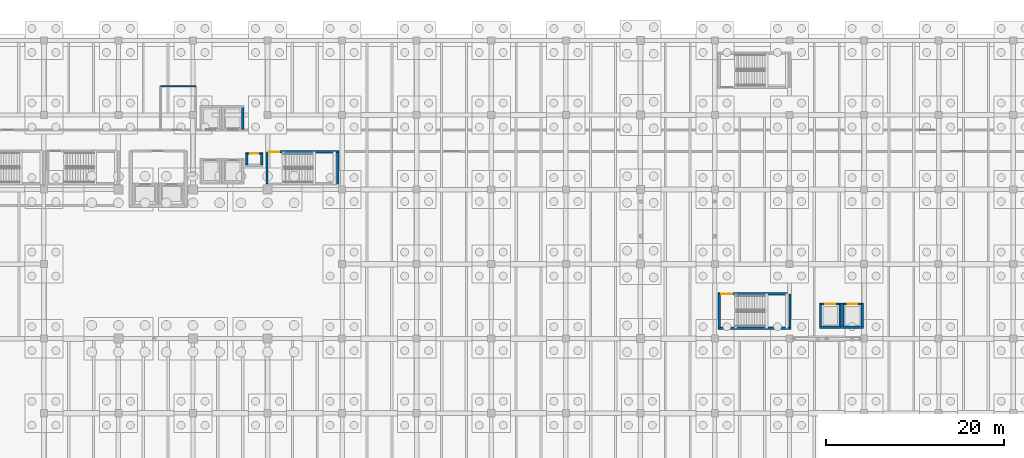
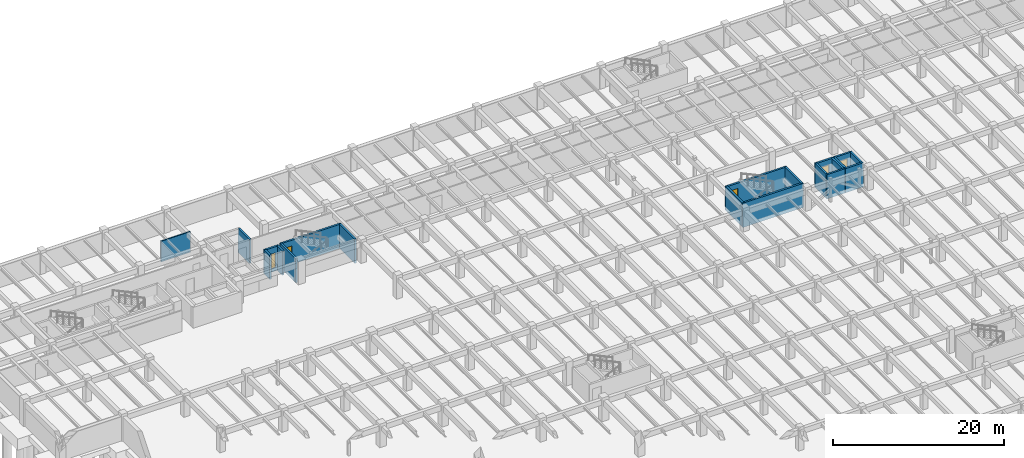
# One storey, part 47 of 70: 20 walls, 5 doors, 5 openings.
"""IFC4 building model written with IfcOpenShell, lengths in metres."""

from ifc_helpers import new_model, si_unit, direction, frame, frame_2d, origin, place, context, subcontext, project, spatial, rectangle, extrude, material, layer, layer_set, type_object, element, fill, save


model = new_model("IFC4")

# Units and contexts
model_context = context("Model", 3, precision=1e-05, world=origin(), true_north=direction((0.0, 1.0)))
body_context = subcontext(model_context, "Body", "Model", "MODEL_VIEW")
ifc_project = project(units=[si_unit("LENGTHUNIT", "METRE"), si_unit("AREAUNIT", "SQUARE_METRE"), si_unit("VOLUMEUNIT", "CUBIC_METRE"), si_unit("PLANEANGLEUNIT", "RADIAN"), si_unit("MASSUNIT", "GRAM", prefix="KILO")], contexts=[model_context])

# Site, building, storey
site_placement = place(None, origin())
site = spatial("IfcSite", under=ifc_project, at=site_placement, CompositionType="ELEMENT")
building_placement = place(site_placement, origin())
building = spatial("IfcBuilding", under=site, at=building_placement, Name="Cumbredor Promenade Congress Hotel", CompositionType="ELEMENT")
storey_placement = place(building_placement, frame((0.0, 0.0, -7.56005859375)))
storey = spatial("IfcBuildingStorey", under=building, at=storey_placement, Name="B02", CompositionType="ELEMENT", Elevation=-7.56005859375)

# Wall
ifc_material_1 = material(Name="Acoustic gypsum partition on steel studs", Category="steel")
ifc_layer_1 = layer(ifc_material_1, 0.139892578125, Name="Acoustic gypsum partition on steel studs", Category="steel")
ifc_layer_set_1 = layer_set([ifc_layer_1], Name="Acoustic gypsum partition on steel studs")
wall_type_1 = type_object("IfcWallType", Name="WL-PART-140", PredefinedType="PARTITIONING", material=ifc_layer_set_1)
wall_1_placement = place(storey_placement, frame((29.949951171875, 112.449951171875, 0.0), z_axis=(0.0, 0.0, 1.0), x_axis=(1.0, 0.0, 0.0)))
element("IfcWall", 1, at=wall_1_placement, inside=storey, type_object=wall_type_1, Name="B02 Interior Partition W-B02-AWC-N", PredefinedType="PARTITIONING", context=body_context, shape_type="SweptSolid", body=[
    extrude(rectangle(XDim=3.949951171875, YDim=0.139892578125, at=frame_2d((1.97509765625, 0.0))), origin(), (0.0, 0.0, 1.0), 2.9599609375),
])

# Wall, opening, door
ifc_material_2 = material(Name="Concrete C40/50", Category="concrete")
ifc_layer_2 = layer(ifc_material_2, 0.2548828125, Name="Concrete C40/50", Category="concrete")
ifc_layer_set_2 = layer_set([ifc_layer_2], Name="Concrete C40/50")
wall_type_2 = type_object("IfcWallType", Name="WL-SHAFT-250", PredefinedType="SOLIDWALL", material=ifc_layer_set_2)
wall_2_placement = place(storey_placement, frame((41.802490234375, 105.050048828125, -0.5), z_axis=(0.0, 0.0, 1.0), x_axis=(1.0, 0.0, 0.0)))
wall_2 = element("IfcWall", 2, at=wall_2_placement, inside=storey, type_object=wall_type_2, Name="STAIR-ST-03-B02 Shaft Wall North", PredefinedType="SOLIDWALL", context=body_context, shape_type="SweptSolid", body=[
    extrude(rectangle(XDim=8.22509765625, YDim=0.2548828125, at=frame_2d((4.112548828125, 0.0))), origin(), (0.0, 0.0, 1.0), 3.4599609375),
])
opening_1_placement = place(wall_2_placement, frame((0.35009765625, 0.0, 0.5)))
opening_1 = element("IfcOpeningElement", 3, at=opening_1_placement, cuts=wall_2, Name="Opening SD-01", PredefinedType="OPENING", context=body_context, shape_type="SweptSolid", body=[
    extrude(rectangle(XDim=1.159912109375, YDim=2.14990234375, at=frame_2d((0.580078125, 1.074951171875))), frame((0.0, 0.137451171875, 0.0), z_axis=(0.0, -1.0, 0.0), x_axis=(1.0, 0.0, 0.0)), (0.0, 0.0, 1.0), 0.27490234375),
])
ifc_material_3 = material(Name="Painted galvanized steel fire door", Category="steel")
door_type_1 = type_object("IfcDoorType", Name="DR-STAIR-FD90-1150", OperationType="NOTDEFINED", PredefinedType="DOOR", material=ifc_material_3)
door_1_placement = place(opening_1_placement, origin())
door_1 = element("IfcDoor", 4, at=door_1_placement, inside=storey, type_object=door_type_1, Name="B02 Protected Exit Stair ST-03 Door", OperationType="SINGLE_SWING_RIGHT", OverallHeight=2.14990234375, OverallWidth=1.159912109375, PredefinedType="DOOR", context=body_context, shape_type="SweptSolid", body=[
    extrude(rectangle(XDim=1.159912109375, YDim=2.14990234375, at=frame_2d((0.580078125, 1.074951171875))), frame((0.0, 0.02490234375, 0.0), z_axis=(0.0, -1.0, 0.0), x_axis=(1.0, 0.0, 0.0)), (0.0, 0.0, 1.0), 0.050048828125),
])
fill(opening_1, door_1)

# Walls
for number, where, z_axis, x_axis, name in (
    (5, (41.929931640625, 101.419921875, -0.5), (0.0, 0.0, 1.0), (0.0, 1.0, 0.0), "STAIR-ST-03-B02 Shaft Wall West"),
    (6, (49.89990234375, 101.419921875, -0.5), (0.0, 0.0, 1.0), (0.0, 1.0, 0.0), "STAIR-ST-03-B02 Shaft Wall East"),
):
    element("IfcWall", number, at=place(storey_placement, frame(where, z_axis=z_axis, x_axis=x_axis)), inside=storey, type_object=wall_type_2, Name=name, PredefinedType="SOLIDWALL", context=body_context, shape_type="SweptSolid", body=[
        extrude(rectangle(XDim=3.630126953125, YDim=0.2548828125, at=frame_2d((1.81494140625, 0.0))), origin(), (0.0, 0.0, 1.0), 3.4599609375),
    ])
wall_3_placement = place(storey_placement, frame((92.75244140625, 85.179931640625, -0.5), z_axis=(0.0, 0.0, 1.0), x_axis=(1.0, 0.0, 0.0)))
element("IfcWall", 7, at=wall_3_placement, inside=storey, type_object=wall_type_2, Name="STAIR-ST-13-B02 Shaft Wall South", PredefinedType="SOLIDWALL", context=body_context, shape_type="SweptSolid", body=[
    extrude(rectangle(XDim=8.22509765625, YDim=0.2548828125, at=frame_2d((4.112548828125, 0.0))), origin(), (0.0, 0.0, 1.0), 3.4599609375),
])

# Wall, opening, door
wall_4_placement = place(storey_placement, frame((92.75244140625, 89.050048828125, -0.5), z_axis=(0.0, 0.0, 1.0), x_axis=(1.0, 0.0, 0.0)))
wall_4 = element("IfcWall", 8, at=wall_4_placement, inside=storey, type_object=wall_type_2, Name="STAIR-ST-13-B02 Shaft Wall North", PredefinedType="SOLIDWALL", context=body_context, shape_type="SweptSolid", body=[
    extrude(rectangle(XDim=8.22509765625, YDim=0.2548828125, at=frame_2d((4.112548828125, 0.0))), origin(), (0.0, 0.0, 1.0), 3.4599609375),
])
opening_2_placement = place(wall_4_placement, frame((0.35009765625, 0.0, 0.5)))
opening_2 = element("IfcOpeningElement", 9, at=opening_2_placement, cuts=wall_4, Name="Opening SD-02", PredefinedType="OPENING", context=body_context, shape_type="SweptSolid", body=[
    extrude(rectangle(XDim=1.25, YDim=2.199951171875, at=frame_2d((0.625, 1.10009765625))), frame((0.0, 0.137451171875, 0.0), z_axis=(0.0, -1.0, 0.0), x_axis=(1.0, 0.0, 0.0)), (0.0, 0.0, 1.0), 0.27490234375),
])
door_type_2 = type_object("IfcDoorType", Name="DR-STAIR-FD90-1250", OperationType="NOTDEFINED", PredefinedType="DOOR", material=ifc_material_3)
door_2_placement = place(opening_2_placement, origin())
door_2 = element("IfcDoor", 10, at=door_2_placement, inside=storey, type_object=door_type_2, Name="B02 Protected Exit Stair ST-13 Door", OperationType="SINGLE_SWING_RIGHT", OverallHeight=2.199951171875, OverallWidth=1.25, PredefinedType="DOOR", context=body_context, shape_type="SweptSolid", body=[
    extrude(rectangle(XDim=1.25, YDim=2.199951171875, at=frame_2d((0.625, 1.10009765625))), frame((0.0, 0.02490234375, 0.0), z_axis=(0.0, -1.0, 0.0), x_axis=(1.0, 0.0, 0.0)), (0.0, 0.0, 1.0), 0.050048828125),
])
fill(opening_2, door_2)

# Walls
for number, where, z_axis, x_axis, name in (
    (11, (92.8798828125, 85.179931640625, -0.5), (0.0, 0.0, 1.0), (0.0, 1.0, 0.0), "STAIR-ST-13-B02 Shaft Wall West"),
    (12, (100.85009765625, 85.179931640625, -0.5), (0.0, 0.0, 1.0), (0.0, 1.0, 0.0), "STAIR-ST-13-B02 Shaft Wall East"),
):
    element("IfcWall", number, at=place(storey_placement, frame(where, z_axis=z_axis, x_axis=x_axis)), inside=storey, type_object=wall_type_2, Name=name, PredefinedType="SOLIDWALL", context=body_context, shape_type="SweptSolid", body=[
        extrude(rectangle(XDim=3.8701171875, YDim=0.2548828125, at=frame_2d((1.93505859375, 0.0))), origin(), (0.0, 0.0, 1.0), 3.4599609375),
    ])
wall_5_placement = place(storey_placement, frame((39.199951171875, 107.550048828125, -0.5), z_axis=(0.0, 0.0, 1.0), x_axis=(0.0, 1.0, 0.0)))
element("IfcWall", 13, at=wall_5_placement, inside=storey, type_object=wall_type_2, Name="SHAFT-PL-02-B02 Shaft Wall East", PredefinedType="SOLIDWALL", context=body_context, shape_type="SweptSolid", body=[
    extrude(rectangle(XDim=2.599853515625, YDim=0.2548828125, at=frame_2d((1.2998046875, 0.0))), origin(), (0.0, 0.0, 1.0), 3.4599609375),
])
wall_6_placement = place(storey_placement, frame((104.172607421875, 85.300048828125, -0.5), z_axis=(0.0, 0.0, 1.0), x_axis=(1.0, 0.0, 0.0)))
element("IfcWall", 14, at=wall_6_placement, inside=storey, type_object=wall_type_2, Name="SHAFT-PL-09-B02 Shaft Wall South", PredefinedType="SOLIDWALL", context=body_context, shape_type="SweptSolid", body=[
    extrude(rectangle(XDim=2.454833984375, YDim=0.2548828125, at=frame_2d((1.2275390625, 0.0))), origin(), (0.0, 0.0, 1.0), 3.4599609375),
])

# Wall, opening, door
wall_7_placement = place(storey_placement, frame((104.172607421875, 87.89990234375, -0.5), z_axis=(0.0, 0.0, 1.0), x_axis=(1.0, 0.0, 0.0)))
wall_7 = element("IfcWall", 15, at=wall_7_placement, inside=storey, type_object=wall_type_2, Name="SHAFT-PL-09-B02 Shaft Wall North", PredefinedType="SOLIDWALL", context=body_context, shape_type="SweptSolid", body=[
    extrude(rectangle(XDim=2.454833984375, YDim=0.2548828125, at=frame_2d((1.2275390625, 0.0))), origin(), (0.0, 0.0, 1.0), 3.4599609375),
])
opening_3_placement = place(wall_7_placement, frame((0.677490234375, 0.0, 0.5)))
opening_3 = element("IfcOpeningElement", 16, at=opening_3_placement, cuts=wall_7, Name="Opening LD-01", PredefinedType="OPENING", context=body_context, shape_type="SweptSolid", body=[
    extrude(rectangle(XDim=1.10009765625, YDim=2.14990234375, at=frame_2d((0.550048828125, 1.074951171875))), frame((0.0, 0.137451171875, 0.0), z_axis=(0.0, -1.0, 0.0), x_axis=(1.0, 0.0, 0.0)), (0.0, 0.0, 1.0), 0.27490234375),
])
ifc_material_4 = material(Name="Brushed stainless steel", Category="steel")
door_type_3 = type_object("IfcDoorType", Name="Lift Landing Sliding Door LD-01 1100x2150", OperationType="DOUBLE_DOOR_SLIDING", PredefinedType="DOOR", material=ifc_material_4)
door_3_placement = place(opening_3_placement, origin())
door_3 = element("IfcDoor", 17, at=door_3_placement, inside=storey, type_object=door_type_3, Name="B02 Forum Congress Lift PL-09 Sliding Landing Door", OperationType="DOUBLE_DOOR_SLIDING", OverallHeight=2.14990234375, OverallWidth=1.10009765625, PredefinedType="DOOR", context=body_context, shape_type="SweptSolid", body=[
    extrude(rectangle(XDim=1.10009765625, YDim=2.14990234375, at=frame_2d((0.550048828125, 1.074951171875))), frame((0.0, 0.02490234375, 0.0), z_axis=(0.0, -1.0, 0.0), x_axis=(1.0, 0.0, 0.0)), (0.0, 0.0, 1.0), 0.050048828125),
])
fill(opening_3, door_3)

# Walls
for number, where, z_axis, x_axis, name in (
    (18, (104.300048828125, 85.300048828125, -0.5), (0.0, 0.0, 1.0), (0.0, 1.0, 0.0), "SHAFT-PL-09-B02 Shaft Wall West"),
    (19, (106.5, 85.300048828125, -0.5), (0.0, 0.0, 1.0), (0.0, 1.0, 0.0), "SHAFT-PL-09-B02 Shaft Wall East"),
):
    element("IfcWall", number, at=place(storey_placement, frame(where, z_axis=z_axis, x_axis=x_axis)), inside=storey, type_object=wall_type_2, Name=name, PredefinedType="SOLIDWALL", context=body_context, shape_type="SweptSolid", body=[
        extrude(rectangle(XDim=2.599853515625, YDim=0.2548828125, at=frame_2d((1.2998046875, 0.0))), origin(), (0.0, 0.0, 1.0), 3.4599609375),
    ])
wall_8_placement = place(storey_placement, frame((106.672607421875, 85.300048828125, -0.5), z_axis=(0.0, 0.0, 1.0), x_axis=(1.0, 0.0, 0.0)))
element("IfcWall", 20, at=wall_8_placement, inside=storey, type_object=wall_type_2, Name="SHAFT-PL-10-B02 Shaft Wall South", PredefinedType="SOLIDWALL", context=body_context, shape_type="SweptSolid", body=[
    extrude(rectangle(XDim=2.454833984375, YDim=0.2548828125, at=frame_2d((1.2275390625, 0.0))), origin(), (0.0, 0.0, 1.0), 3.4599609375),
])

# Wall, opening, door
wall_9_placement = place(storey_placement, frame((106.672607421875, 87.89990234375, -0.5), z_axis=(0.0, 0.0, 1.0), x_axis=(1.0, 0.0, 0.0)))
wall_9 = element("IfcWall", 21, at=wall_9_placement, inside=storey, type_object=wall_type_2, Name="SHAFT-PL-10-B02 Shaft Wall North", PredefinedType="SOLIDWALL", context=body_context, shape_type="SweptSolid", body=[
    extrude(rectangle(XDim=2.454833984375, YDim=0.2548828125, at=frame_2d((1.2275390625, 0.0))), origin(), (0.0, 0.0, 1.0), 3.4599609375),
])
opening_4_placement = place(wall_9_placement, frame((0.677490234375, 0.0, 0.5)))
opening_4 = element("IfcOpeningElement", 22, at=opening_4_placement, cuts=wall_9, Name="Opening LD-01", PredefinedType="OPENING", context=body_context, shape_type="SweptSolid", body=[
    extrude(rectangle(XDim=1.10009765625, YDim=2.14990234375, at=frame_2d((0.550048828125, 1.074951171875))), frame((0.0, 0.137451171875, 0.0), z_axis=(0.0, -1.0, 0.0), x_axis=(1.0, 0.0, 0.0)), (0.0, 0.0, 1.0), 0.27490234375),
])
door_4_placement = place(opening_4_placement, origin())
door_4 = element("IfcDoor", 23, at=door_4_placement, inside=storey, type_object=door_type_3, Name="B02 Forum Congress Lift PL-10 Sliding Landing Door", OperationType="DOUBLE_DOOR_SLIDING", OverallHeight=2.14990234375, OverallWidth=1.10009765625, PredefinedType="DOOR", context=body_context, shape_type="SweptSolid", body=[
    extrude(rectangle(XDim=1.10009765625, YDim=2.14990234375, at=frame_2d((0.550048828125, 1.074951171875))), frame((0.0, 0.02490234375, 0.0), z_axis=(0.0, -1.0, 0.0), x_axis=(1.0, 0.0, 0.0)), (0.0, 0.0, 1.0), 0.050048828125),
])
fill(opening_4, door_4)

# Walls
for number, where, z_axis, x_axis, name in (
    (24, (106.800048828125, 85.300048828125, -0.5), (0.0, 0.0, 1.0), (0.0, 1.0, 0.0), "SHAFT-PL-10-B02 Shaft Wall West"),
    (25, (109.0, 85.300048828125, -0.5), (0.0, 0.0, 1.0), (0.0, 1.0, 0.0), "SHAFT-PL-10-B02 Shaft Wall East"),
):
    element("IfcWall", number, at=place(storey_placement, frame(where, z_axis=z_axis, x_axis=x_axis)), inside=storey, type_object=wall_type_2, Name=name, PredefinedType="SOLIDWALL", context=body_context, shape_type="SweptSolid", body=[
        extrude(rectangle(XDim=2.599853515625, YDim=0.2548828125, at=frame_2d((1.2998046875, 0.0))), origin(), (0.0, 0.0, 1.0), 3.4599609375),
    ])

# Wall, opening, door
wall_10_placement = place(storey_placement, frame((39.5224609375, 104.85009765625, -0.5), z_axis=(0.0, 0.0, 1.0), x_axis=(1.0, 0.0, 0.0)))
wall_10 = element("IfcWall", 26, at=wall_10_placement, inside=storey, type_object=wall_type_2, Name="RISER-MEP-R1-B02 Shaft Wall North", PredefinedType="SOLIDWALL", context=body_context, shape_type="SweptSolid", body=[
    extrude(rectangle(XDim=1.955078125, YDim=0.2548828125, at=frame_2d((0.9775390625, 0.0))), origin(), (0.0, 0.0, 1.0), 3.4599609375),
])
opening_5_placement = place(wall_10_placement, frame((0.507568359375, 0.0, 0.5)))
opening_5 = element("IfcOpeningElement", 27, at=opening_5_placement, cuts=wall_10, Name="Opening FD-03", PredefinedType="OPENING", context=body_context, shape_type="SweptSolid", body=[
    extrude(rectangle(XDim=0.93994140625, YDim=2.10009765625, at=frame_2d((0.469970703125, 1.050048828125))), frame((0.0, 0.137451171875, 0.0), z_axis=(0.0, -1.0, 0.0), x_axis=(1.0, 0.0, 0.0)), (0.0, 0.0, 1.0), 0.27490234375),
])
door_type_4 = type_object("IfcDoorType", Name="DR-SGL-FD60-950", OperationType="NOTDEFINED", PredefinedType="DOOR", material=ifc_material_3)
door_5_placement = place(opening_5_placement, origin())
door_5 = element("IfcDoor", 28, at=door_5_placement, inside=storey, type_object=door_type_4, Name="B02 Hotel MEP Riser Shaft R1 Access Door", OperationType="SINGLE_SWING_LEFT", OverallHeight=2.10009765625, OverallWidth=0.93994140625, PredefinedType="DOOR", context=body_context, shape_type="SweptSolid", body=[
    extrude(rectangle(XDim=0.93994140625, YDim=2.10009765625, at=frame_2d((0.469970703125, 1.050048828125))), frame((0.0, 0.02490234375, 0.0), z_axis=(0.0, -1.0, 0.0), x_axis=(1.0, 0.0, 0.0)), (0.0, 0.0, 1.0), 0.050048828125),
])
fill(opening_5, door_5)

# Walls
for number, where, z_axis, x_axis, name in (
    (29, (39.64990234375, 103.550048828125, -0.5), (0.0, 0.0, 1.0), (0.0, 1.0, 0.0), "RISER-MEP-R1-B02 Shaft Wall West"),
    (30, (41.35009765625, 103.550048828125, -0.5), (0.0, 0.0, 1.0), (0.0, 1.0, 0.0), "RISER-MEP-R1-B02 Shaft Wall East"),
):
    element("IfcWall", number, at=place(storey_placement, frame(where, z_axis=z_axis, x_axis=x_axis)), inside=storey, type_object=wall_type_2, Name=name, PredefinedType="SOLIDWALL", context=body_context, shape_type="SweptSolid", body=[
        extrude(rectangle(XDim=1.300048828125, YDim=0.2548828125, at=frame_2d((0.64990234375, 0.0))), origin(), (0.0, 0.0, 1.0), 3.4599609375),
    ])

save(model, "model.ifc")
